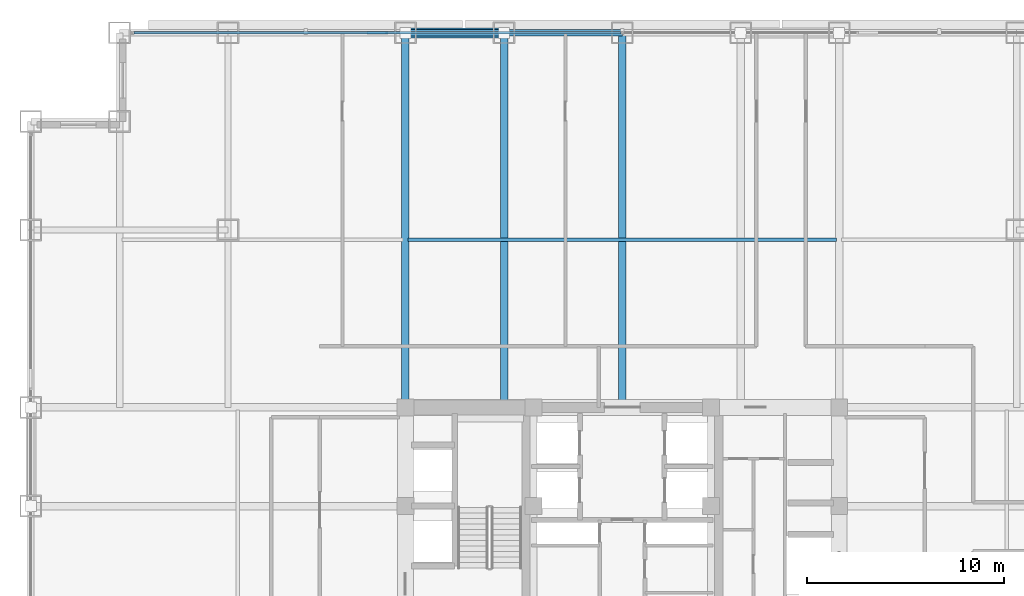
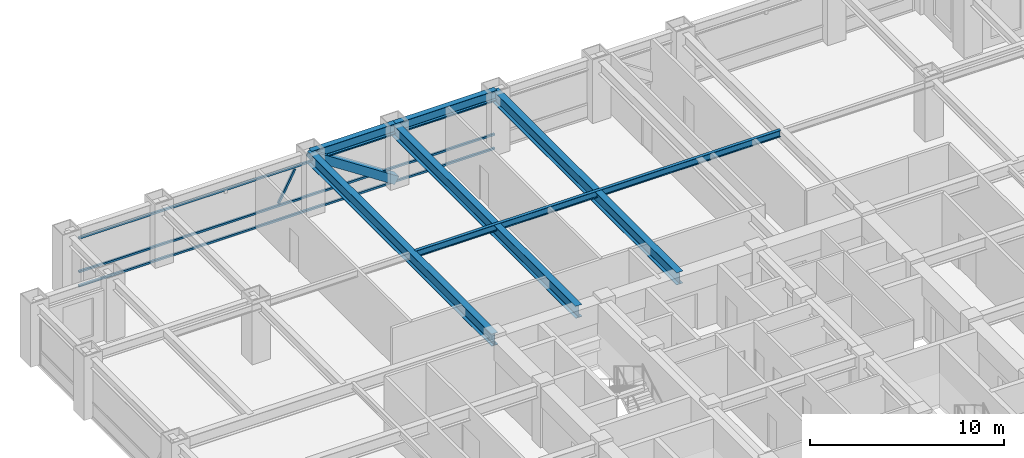
# One storey, part 15 of 28: 6 beams, 5 members, 1 element without a shape of its own.
"""IFC4 building model written with IfcOpenShell, lengths in metres."""

import ifcopenshell
import ifcopenshell.guid

model = None  # the IFC model being written
_history = None  # IfcOwnerHistory: only IFC2X3 demands one
_inside = {}  # id of a spatial element -> (the spatial element, [elements in it])
_under = {}  # id of a project, library or spatial element -> (it, [spatial elements below it])
_declared = {}  # id of a project -> (the project, [libraries it declares])
_typed = {}  # id of a type object -> (the type object, [elements of that type])
_made_of = {}  # id of a material, layer set ... -> (it, [elements and type objects made of it])


def new_model(schema):
    """Start an empty IFC model of exactly this schema.

    Asked for "IFC4X3", IfcOpenShell would pick the latest addendum, in which some entities
    have other attributes; the version numbers below select the first issue.
    IFC2X3 requires an IfcOwnerHistory on every rooted entity: one is made here for all.
    """
    global model, _history
    if schema == "IFC4X3":
        model = ifcopenshell.file(schema_version=(4, 3, 0, 0))
    else:
        model = ifcopenshell.file(schema=schema)
    _inside.clear()
    _under.clear()
    _declared.clear()
    _typed.clear()
    _made_of.clear()
    _history = None
    if model.schema == "IFC2X3":
        org = make("IfcOrganization", Name="unknown")
        user = make(
            "IfcPersonAndOrganization",
            ThePerson=make("IfcPerson", FamilyName="unknown"),
            TheOrganization=org,
        )
        app = make(
            "IfcApplication",
            ApplicationDeveloper=org,
            Version="unknown",
            ApplicationFullName="unknown",
            ApplicationIdentifier="unknown",
        )
        _history = make(
            "IfcOwnerHistory",
            OwningUser=user,
            OwningApplication=app,
            ChangeAction="ADDED",
            CreationDate=0,
        )
    return model


def make(cls, **values):
    """One entity of the class cls with the attributes given. An attribute that is None is left unset."""
    return model.create_entity(
        cls, **{name: value for name, value in values.items() if value is not None}
    )


def rooted(cls, **values):
    """An entity with a GlobalId (a new one), such as an element, a storey or a relation."""
    return make(cls, GlobalId=ifcopenshell.guid.new(), OwnerHistory=_history, **values)


def si_unit(unit_type, name, prefix=None):
    """IfcSIUnit, for example si_unit("LENGTHUNIT", "METRE", prefix="MILLI")."""
    return make("IfcSIUnit", UnitType=unit_type, Prefix=prefix, Name=name)


def assignment(units):
    """IfcUnitAssignment: the units of a project."""
    return None if units is None else make("IfcUnitAssignment", Units=units)


def point(xyz):
    """IfcCartesianPoint."""
    return None if xyz is None else make("IfcCartesianPoint", Coordinates=xyz)


def direction(xyz):
    """IfcDirection."""
    return None if xyz is None else make("IfcDirection", DirectionRatios=xyz)


def frame(location, z_axis=None, x_axis=None):
    """IfcAxis2Placement3D, a coordinate frame: its origin and axes. An axis left out is left unset."""
    return make(
        "IfcAxis2Placement3D",
        Location=point(location),
        Axis=direction(z_axis),
        RefDirection=direction(x_axis),
    )


def frame_2d(location, x_axis=None):
    """IfcAxis2Placement2D, a coordinate frame in the plane: its origin and x axis."""
    return make(
        "IfcAxis2Placement2D", Location=point(location), RefDirection=direction(x_axis)
    )


def origin():
    """The frame at (0, 0, 0) with its axes left unset."""
    return frame((0.0, 0.0, 0.0))


def origin_2d():
    """The frame at (0, 0) in the plane with its x axis left unset."""
    return frame_2d((0.0, 0.0))


def place(relative_to, where):
    """IfcLocalPlacement: puts the frame where relative to a parent placement (None: the world)."""
    return make(
        "IfcLocalPlacement", PlacementRelTo=relative_to, RelativePlacement=where
    )


def context(
    kind, dimensions, precision=None, world=None, true_north=None, identifier=None
):
    """IfcGeometricRepresentationContext, for example the 3D "Model" context."""
    return make(
        "IfcGeometricRepresentationContext",
        ContextIdentifier=identifier,
        ContextType=kind,
        CoordinateSpaceDimension=dimensions,
        Precision=precision,
        WorldCoordinateSystem=world,
        TrueNorth=true_north,
    )


def subcontext(parent, identifier, kind, view, scale=None):
    """IfcGeometricRepresentationSubContext, for example "Body" below "Model"."""
    return make(
        "IfcGeometricRepresentationSubContext",
        ContextIdentifier=identifier,
        ContextType=kind,
        ParentContext=parent,
        TargetScale=scale,
        TargetView=view,
    )


def project(units=None, contexts=None):
    """IfcProject with its units and contexts."""
    return rooted(
        "IfcProject",
        Name="project",
        RepresentationContexts=contexts,
        UnitsInContext=assignment(units),
    )


def spatial(cls, under=None, at=None, **own):
    """A site, building, storey or space (cls), placed at a placement, below another one or the project."""
    s = rooted(cls, ObjectPlacement=at, **own)
    if under is not None:
        _under.setdefault(under.id(), (under, []))[1].append(s)
    return s


def profile(cls, at=None, kind="AREA", **sizes):
    """A parametric profile (cls). Its sizes go by their IFC names, for example OverallWidth=200.0."""
    return make(cls, ProfileType=kind, Position=at, **sizes)


def hollow_rectangle(**sizes):
    """IfcRectangleHollowProfileDef."""
    return profile("IfcRectangleHollowProfileDef", **sizes)


def i_section(**sizes):
    """IfcIShapeProfileDef."""
    return profile("IfcIShapeProfileDef", **sizes)


def extrude(swept, where, along, depth):
    """IfcExtrudedAreaSolid: the profile swept, set in the frame where, extruded along a direction by depth."""
    return make(
        "IfcExtrudedAreaSolid",
        SweptArea=swept,
        Position=where,
        ExtrudedDirection=direction(along),
        Depth=depth,
    )


def shape(context_of_items, identifier, shape_type, items):
    """IfcShapeRepresentation: the items that make up one representation, for example the "Body"."""
    return make(
        "IfcShapeRepresentation",
        ContextOfItems=context_of_items,
        RepresentationIdentifier=identifier,
        RepresentationType=shape_type,
        Items=items,
    )


def source(mapping_origin, context_of_items, identifier, shape_type, items):
    """IfcRepresentationMap: a shape defined once, which mapped items show again and again."""
    return make(
        "IfcRepresentationMap",
        MappingOrigin=mapping_origin,
        MappedRepresentation=shape(context_of_items, identifier, shape_type, items),
    )


def transform(
    local_origin,
    x_axis=None,
    y_axis=None,
    z_axis=None,
    scale=None,
    scale2=None,
    scale3=None,
    uniform=True,
):
    """IfcCartesianTransformationOperator3D, or its non-uniform kind. x_axis, y_axis, z_axis: its Axis1, 2, 3."""
    if uniform:
        return make(
            "IfcCartesianTransformationOperator3D",
            Axis1=direction(x_axis),
            Axis2=direction(y_axis),
            LocalOrigin=point(local_origin),
            Scale=scale,
            Axis3=direction(z_axis),
        )
    return make(
        "IfcCartesianTransformationOperator3DnonUniform",
        Axis1=direction(x_axis),
        Axis2=direction(y_axis),
        LocalOrigin=point(local_origin),
        Scale=scale,
        Axis3=direction(z_axis),
        Scale2=scale2,
        Scale3=scale3,
    )


def mapped(mapping_source, mapping_target):
    """IfcMappedItem: shows the shape of a source again, moved by a transform."""
    return make(
        "IfcMappedItem", MappingSource=mapping_source, MappingTarget=mapping_target
    )


def material(Name=None, Category=None):
    """IfcMaterial."""
    return make("IfcMaterial", Name=Name, Category=Category)


def material_profile(
    of_material, cross_section, Name=None, Category=None, Priority=None
):
    """IfcMaterialProfile: a cross section and its material."""
    return make(
        "IfcMaterialProfile",
        Name=Name,
        Material=of_material,
        Profile=cross_section,
        Priority=Priority,
        Category=Category,
    )


def profile_set(profiles, Name=None, composite=None):
    """IfcMaterialProfileSet."""
    return make(
        "IfcMaterialProfileSet",
        Name=Name,
        MaterialProfiles=profiles,
        CompositeProfile=composite,
    )


def made_of(thing, what):
    """Note that an element or type object is made of a material, layer set ...; save() writes the relation."""
    if what is not None:
        _made_of.setdefault(what.id(), (what, []))[1].append(thing)
    return thing


def type_object(cls, material=None, **own):
    """A type object (cls), such as IfcWallType, which elements share."""
    return made_of(rooted(cls, **own), material)


def element(
    cls,
    number,
    at=None,
    inside=None,
    cuts=None,
    type_object=None,
    material=None,
    context=None,
    identifier="Body",
    shape_type=None,
    held_by="IfcProductDefinitionShape",
    body=None,
    shapes=None,
    **own,
):
    """One element of the class cls, such as IfcWall. Its Tag is "e" and its number.

    at: its placement. inside: the storey or other place that contains it. cuts: it is an
    opening in that element (IfcRelVoidsElement). A single representation is given by context,
    identifier, shape_type and body (its items); several are given by shapes. held_by: the class
    of the entity that holds the representations. save() writes the other relations.
    """
    e = rooted(cls, Tag="e%d" % number, ObjectPlacement=at, **own)
    if body is not None:
        shapes = [shape(context, identifier, shape_type, body)]
    if shapes is not None:
        e.Representation = make(held_by, Representations=shapes)
    if inside is not None:
        _inside.setdefault(inside.id(), (inside, []))[1].append(e)
    if cuts is not None:
        rooted(
            "IfcRelVoidsElement", RelatingBuildingElement=cuts, RelatedOpeningElement=e
        )
    if type_object is not None:
        _typed.setdefault(type_object.id(), (type_object, []))[1].append(e)
    return made_of(e, material)


def aggregate(whole, parts):
    """IfcRelAggregates: a whole, such as a stair, and the parts it consists of."""
    return rooted("IfcRelAggregates", RelatingObject=whole, RelatedObjects=parts)


def save(model, path):
    """Write the relations noted so far, then the file.

    IfcRelAggregates (storeys below a building ...), IfcRelContainedInSpatialStructure (elements
    in a storey), IfcRelDefinesByType, IfcRelAssociatesMaterial and IfcRelDeclares: one each for
    every whole, place, type object, material and project.
    """
    for whole, parts in _under.values():
        aggregate(whole, parts)
    for where, things in _inside.values():
        rooted(
            "IfcRelContainedInSpatialStructure",
            RelatedElements=things,
            RelatingStructure=where,
        )
    for kind, things in _typed.values():
        rooted("IfcRelDefinesByType", RelatedObjects=things, RelatingType=kind)
    for what, things in _made_of.values():
        rooted("IfcRelAssociatesMaterial", RelatedObjects=things, RelatingMaterial=what)
    for by, libraries in _declared.values():
        rooted("IfcRelDeclares", RelatingContext=by, RelatedDefinitions=libraries)
    model.write(path)


model = new_model("IFC4")

# Units and contexts
model_context = context("Model", 3, precision=1e-05, world=origin(), true_north=direction((0.0, 1.0)))
body_context = subcontext(model_context, "Body", "Model", "MODEL_VIEW")
ifc_project = project(units=[si_unit("LENGTHUNIT", "METRE"), si_unit("AREAUNIT", "SQUARE_METRE"), si_unit("VOLUMEUNIT", "CUBIC_METRE"), si_unit("PLANEANGLEUNIT", "RADIAN"), si_unit("MASSUNIT", "GRAM", prefix="KILO")], contexts=[model_context])

# Site, building, storey
site_placement = place(None, origin())
site = spatial("IfcSite", under=ifc_project, at=site_placement, CompositionType="ELEMENT")
building_placement = place(site_placement, origin())
building = spatial("IfcBuilding", under=site, at=building_placement, Name="Khorayat Bourse Tower", CompositionType="ELEMENT")
storey_placement = place(building_placement, frame((0.0, 0.0, 187.10009765625)))
storey = spatial("IfcBuildingStorey", under=building, at=storey_placement, Name="L43", CompositionType="ELEMENT", Elevation=187.10009765625)

# Beams
ifc_material_1 = material(Name="Steel ASTM A992 Grade 50", Category="steel")
ifc_material_profile_1 = material_profile(ifc_material_1, i_section(OverallWidth=0.381103515625, OverallDepth=0.77294921875, WebThickness=0.0166015625, FlangeThickness=0.027587890625, FilletRadius=0.01806640625, at=origin_2d()), Name="W760X257")
ifc_profile_set_1 = profile_set([ifc_material_profile_1], Name="Steel ASTM A992 Grade 50")
beam_type_1 = type_object("IfcBeamType", Name="BM-GIRD-760", PredefinedType="BEAM", material=ifc_profile_set_1)
shared_shape_1 = source(origin(), body_context, "Body", "SweptSolid", [
    extrude(i_section(OverallWidth=0.381103515625, OverallDepth=0.77294921875, WebThickness=0.0166015625, FlangeThickness=0.027587890625, FilletRadius=0.01806640625, at=origin_2d()), origin(), (0.0, 0.0, 1.0), 19.0),
])
for number, where, z_axis, x_axis, name in (
    (1, (-11.0, 11.0, 3.393310546875), (0.0, 1.0, 0.0), (-1.0, 0.0, 0.0), "L43 BM-GIRD-760 BM-L43-RADY-064"),
    (2, (-6.0, 11.0, 3.393310546875), (0.0, 1.0, 0.0), (-1.0, 0.0, 0.0), "L43 BM-GIRD-760 BM-L43-RADY-066"),
    (3, (0.0, 11.0, 3.393310546875), (0.0, 1.0, 0.0), (-1.0, 0.0, 0.0), "L43 BM-GIRD-760 BM-L43-RADY-068"),
):
    element("IfcBeam", number, at=place(storey_placement, frame(where, z_axis=z_axis, x_axis=x_axis)), inside=storey, type_object=beam_type_1, Name=name, PredefinedType="BEAM", context=body_context, shape_type="MappedRepresentation", body=[
        mapped(shared_shape_1, transform((0.0, 0.0, 0.0), scale=1.0)),
    ])
ifc_material_profile_2 = material_profile(ifc_material_1, i_section(OverallWidth=0.180908203125, OverallDepth=0.4169921875, WebThickness=0.010986328125, FlangeThickness=0.018310546875, FilletRadius=0.011962890625, at=origin_2d()), Name="W410X85")
ifc_profile_set_2 = profile_set([ifc_material_profile_2], Name="Steel ASTM A992 Grade 50")
beam_type_2 = type_object("IfcBeamType", Name="BM-JOIST-410", PredefinedType="JOIST", material=ifc_profile_set_2)
shared_shape_2 = source(origin(), body_context, "Body", "SweptSolid", [
    extrude(i_section(OverallWidth=0.180908203125, OverallDepth=0.4169921875, WebThickness=0.010986328125, FlangeThickness=0.018310546875, FilletRadius=0.011962890625, at=origin_2d()), origin(), (0.0, 0.0, 1.0), 21.740234375),
])
beam_1_placement = place(storey_placement, frame((-10.8701171875, 19.5, 3.5712890625), z_axis=(1.0, 0.0, 0.0), x_axis=(0.0, 1.0, 0.0)))
element("IfcBeam", 4, at=beam_1_placement, inside=storey, type_object=beam_type_2, Name="L43 BM-JOIST-410 BM-L43-JSTX-100", PredefinedType="JOIST", context=body_context, shape_type="MappedRepresentation", body=[
    mapped(shared_shape_2, transform((0.0, 0.0, 0.0), scale=1.0)),
])
ifc_material_profile_3 = material_profile(ifc_material_1, i_section(OverallWidth=0.324951171875, OverallDepth=0.615966796875, WebThickness=0.013916015625, FlangeThickness=0.021484375, FilletRadius=0.01611328125, at=origin_2d()), Name="W610X174")
ifc_profile_set_3 = profile_set([ifc_material_profile_3], Name="Steel ASTM A992 Grade 50")
beam_type_3 = type_object("IfcBeamType", Name="BM-SPAN-610", PredefinedType="SPANDREL", material=ifc_profile_set_3)
shared_shape_3 = source(origin(), body_context, "Body", "SweptSolid", [
    extrude(i_section(OverallWidth=0.324951171875, OverallDepth=0.615966796875, WebThickness=0.013916015625, FlangeThickness=0.021484375, FilletRadius=0.01611328125, at=origin_2d()), origin(), (0.0, 0.0, 1.0), 5.0),
])
beam_2_placement = place(storey_placement, frame((-11.0, 30.0, 3.471923828125), z_axis=(1.0, 0.0, 0.0), x_axis=(0.0, 1.0, 0.0)))
element("IfcBeam", 5, at=beam_2_placement, inside=storey, type_object=beam_type_3, Name="L43 BM-SPAN-610 BM-L43-SPN-049", PredefinedType="SPANDREL", context=body_context, shape_type="MappedRepresentation", body=[
    mapped(shared_shape_3, transform((0.0, 0.0, 0.0), scale=1.0)),
])
shared_shape_4 = source(origin(), body_context, "Body", "SweptSolid", [
    extrude(i_section(OverallWidth=0.324951171875, OverallDepth=0.615966796875, WebThickness=0.013916015625, FlangeThickness=0.021484375, FilletRadius=0.01611328125, at=origin_2d()), origin(), (0.0, 0.0, 1.0), 6.0),
])
beam_3_placement = place(storey_placement, frame((-6.0, 30.0, 3.471923828125), z_axis=(1.0, 0.0, 0.0), x_axis=(0.0, 1.0, 0.0)))
element("IfcBeam", 6, at=beam_3_placement, inside=storey, type_object=beam_type_3, Name="L43 BM-SPAN-610 BM-L43-SPN-048", PredefinedType="SPANDREL", context=body_context, shape_type="MappedRepresentation", body=[
    mapped(shared_shape_4, transform((0.0, 0.0, 0.0), scale=1.0)),
])

# Member
ifc_material_2 = material(Name="Steel EN 10025-4 S460M", Category="steel")
ifc_material_profile_4 = material_profile(ifc_material_2, hollow_rectangle(XDim=0.5, YDim=0.5, WallThickness=0.028076171875, at=origin_2d()), Name="HSS 500x500x28")
ifc_profile_set_4 = profile_set([ifc_material_profile_4], Name="Steel EN 10025-4 S460M")
member_type_1 = type_object("IfcMemberType", Name="MBR-TUBE-500", PredefinedType="BRACE", material=ifc_profile_set_4)
shared_shape_5 = source(origin(), body_context, "Body", "SweptSolid", [
    extrude(hollow_rectangle(XDim=0.5, YDim=0.5, WallThickness=0.028076171875, at=origin_2d()), origin(), (0.0, 0.0, 1.0), 5.979736328125),
])
member_1_placement = place(storey_placement, frame((-11.0, 30.0, 3.52978515625), z_axis=(0.836160261256, 0.0, -0.548485202623), x_axis=(0.0, 1.0, 0.0)))
element("IfcMember", 7, at=member_1_placement, inside=storey, type_object=member_type_1, Name="L43 Perimeter Tube Brace 03", PredefinedType="BRACE", context=body_context, shape_type="MappedRepresentation", body=[
    mapped(shared_shape_5, transform((0.0, 0.0, 0.0), scale=1.0)),
])

# Curtain wall, members
ifc_material_3 = material(Name="Aluminium EN AW-6063 T6", Category="aluminium")
curtain_wall_type = type_object("IfcCurtainWallType", Name="CW-SYS-03", PredefinedType="NOTDEFINED", material=ifc_material_3)
curtain_wall_placement = place(storey_placement, origin())
curtain_wall = element("IfcCurtainWall", 8, at=curtain_wall_placement, inside=storey, type_object=curtain_wall_type, Name="L43 Curtain Wall CW-L43-N1", PredefinedType="NOTDEFINED")
ifc_material_profile_5 = material_profile(ifc_material_3, hollow_rectangle(XDim=0.1201171875, YDim=0.1201171875, WallThickness=0.0048828125, at=origin_2d()), Name="ALU 120x120x5")
ifc_profile_set_5 = profile_set([ifc_material_profile_5], Name="Aluminium EN AW-6063 T6")
member_type_2 = type_object("IfcMemberType", Name="CWM-DIAG-120", PredefinedType="MULLION", material=ifc_profile_set_5)
shared_shape_6 = source(origin(), body_context, "Body", "SweptSolid", [
    extrude(hollow_rectangle(XDim=0.1201171875, YDim=0.1201171875, WallThickness=0.0048828125, at=origin_2d()), origin(), (0.0, 0.0, 1.0), 2.079345703125),
])
member_2_placement = place(storey_placement, frame((-12.904296875, 30.0, 1.08984375), z_axis=(0.465760949701, 0.0, 0.884910581773), x_axis=(0.0, 1.0, 0.0)))
member_2 = element("IfcMember", 9, at=member_2_placement, type_object=member_type_2, Name="CW-L43-N1 Faceted Diagonal Mullion 1", PredefinedType="MULLION", context=body_context, shape_type="MappedRepresentation", body=[
    mapped(shared_shape_6, transform((0.0, 0.0, 0.0), scale=1.0)),
])
ifc_material_profile_6 = material_profile(ifc_material_3, hollow_rectangle(XDim=0.1201171875, YDim=0.1201171875, WallThickness=0.0048828125, at=origin_2d()), Name="ALU 120x120x5")
ifc_profile_set_6 = profile_set([ifc_material_profile_6], Name="Aluminium EN AW-6063 T6")
member_type_3 = type_object("IfcMemberType", Name="CWT-HORZ-120", PredefinedType="USERDEFINED", material=ifc_profile_set_6)
shared_shape_7 = source(origin(), body_context, "Body", "SweptSolid", [
    extrude(hollow_rectangle(XDim=0.1201171875, YDim=0.1201171875, WallThickness=0.0048828125, at=origin_2d()), origin(), (0.0, 0.0, 1.0), 24.719970703125),
])
member_3_placement = place(storey_placement, frame((-24.780029296875, 30.0, 0.059814453125), z_axis=(1.0, 0.0, 0.0), x_axis=(0.0, 1.0, 0.0)))
member_3 = element("IfcMember", 10, at=member_3_placement, type_object=member_type_3, Name="CW-L43-N1 Horizontal Transom 1-1", ObjectType="TRANSOM", PredefinedType="USERDEFINED", context=body_context, shape_type="MappedRepresentation", body=[
    mapped(shared_shape_7, transform((0.0, 0.0, 0.0), scale=1.0)),
])
member_4_placement = place(storey_placement, frame((-24.780029296875, 30.0, 0.949951171875), z_axis=(1.0, 0.0, 0.0), x_axis=(0.0, 1.0, 0.0)))
member_4 = element("IfcMember", 11, at=member_4_placement, type_object=member_type_3, Name="CW-L43-N1 Horizontal Transom 1-2", ObjectType="TRANSOM", PredefinedType="USERDEFINED", context=body_context, shape_type="MappedRepresentation", body=[
    mapped(shared_shape_7, transform((0.0, 0.0, 0.0), scale=1.0)),
])
member_5_placement = place(storey_placement, frame((-24.780029296875, 30.0, 3.06982421875), z_axis=(1.0, 0.0, 0.0), x_axis=(0.0, 1.0, 0.0)))
member_5 = element("IfcMember", 12, at=member_5_placement, type_object=member_type_3, Name="CW-L43-N1 Horizontal Transom 1-3", ObjectType="TRANSOM", PredefinedType="USERDEFINED", context=body_context, shape_type="MappedRepresentation", body=[
    mapped(shared_shape_7, transform((0.0, 0.0, 0.0), scale=1.0)),
])
aggregate(curtain_wall, [member_3, member_4, member_5, member_2])

save(model, "model.ifc")
